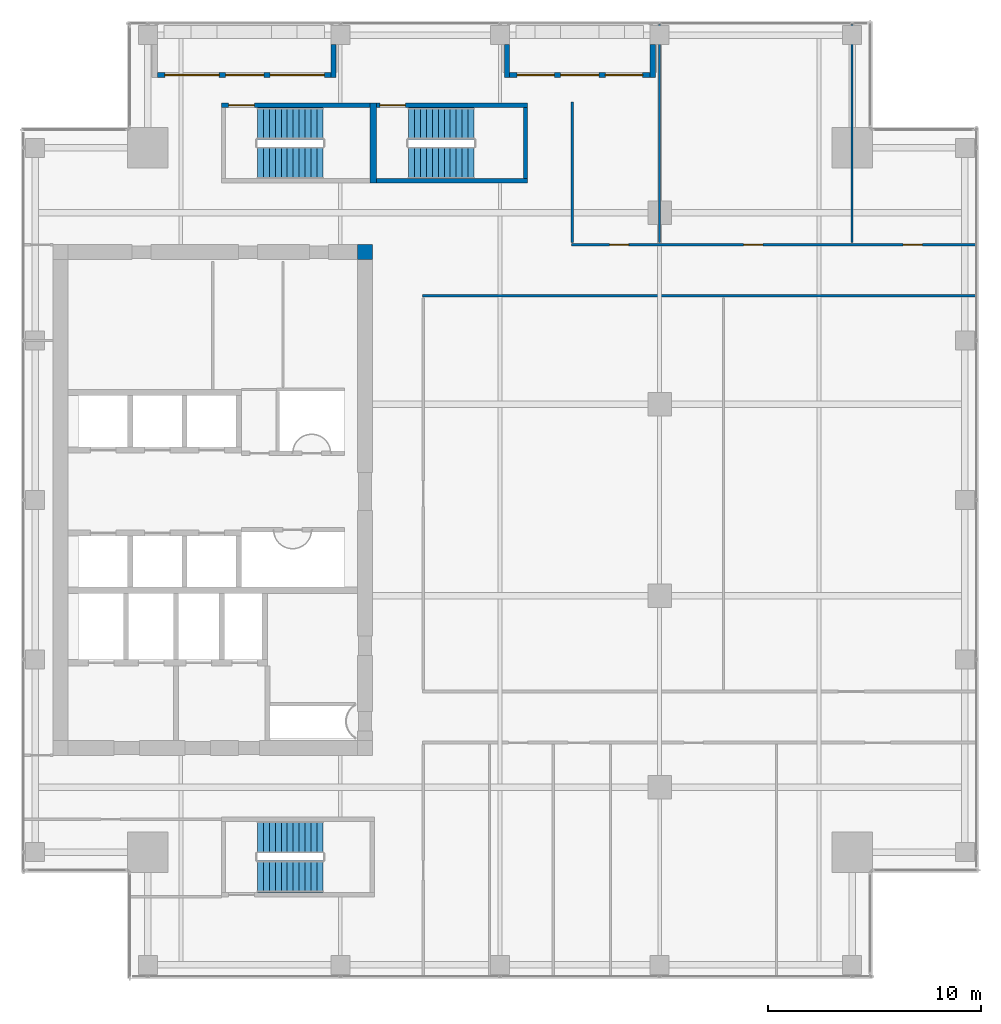
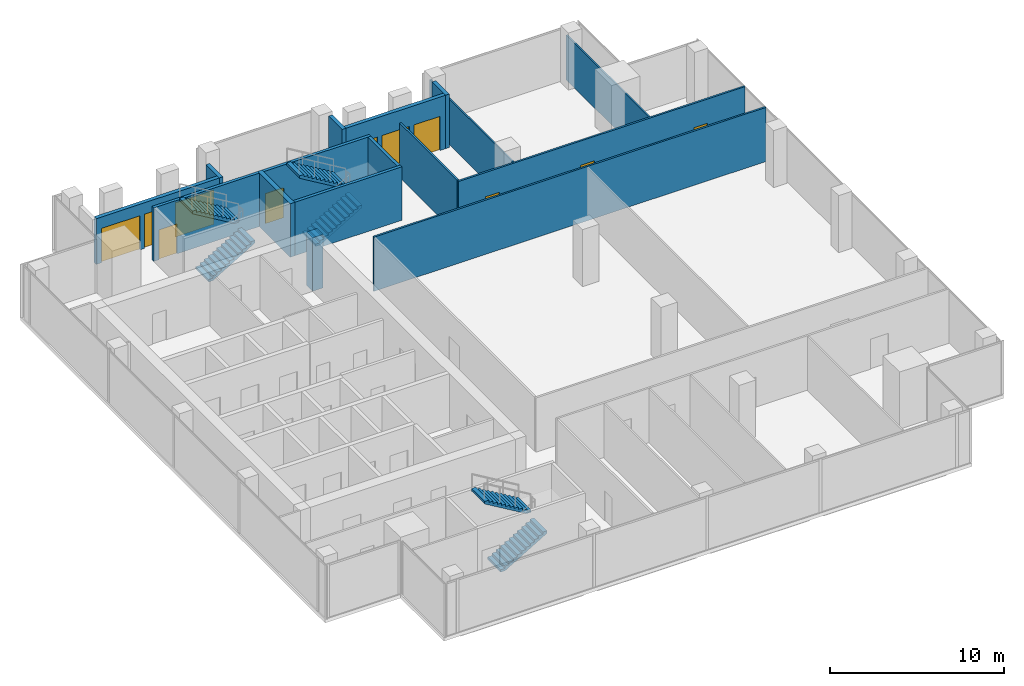
# One storey, part 32 of 35: 16 walls, 7 doors, 6 stair flights, 4 windows, 11 openings, 3 elements without a shape of their own.
"""IFC4 building model written with IfcOpenShell, lengths in metres."""

from ifc_helpers import new_model, si_unit, direction, frame, frame_2d, origin, place, context, subcontext, project, spatial, polyline, rectangle, outline, extrude, source, transform, mapped, material, layer, layer_set, type_object, element, fill, aggregate, save


model = new_model("IFC4")

# Units and contexts
model_context = context("Model", 3, precision=1e-05, world=origin(), true_north=direction((0.0, 1.0)))
body_context = subcontext(model_context, "Body", "Model", "MODEL_VIEW")
ifc_project = project(units=[si_unit("LENGTHUNIT", "METRE"), si_unit("AREAUNIT", "SQUARE_METRE"), si_unit("VOLUMEUNIT", "CUBIC_METRE"), si_unit("PLANEANGLEUNIT", "RADIAN"), si_unit("MASSUNIT", "GRAM", prefix="KILO")], contexts=[model_context])

# Site, building, storey
site_placement = place(None, origin())
site = spatial("IfcSite", under=ifc_project, at=site_placement, CompositionType="ELEMENT")
building_placement = place(site_placement, origin())
building = spatial("IfcBuilding", under=site, at=building_placement, Name="Khomas Fold Tower", CompositionType="ELEMENT")
storey_placement = place(building_placement, frame((0.0, 0.0, 270.199951171875)))
storey = spatial("IfcBuildingStorey", under=building, at=storey_placement, Name="L61", CompositionType="ELEMENT", Elevation=270.199951171875)

# Wall, opening, door
ifc_material_1 = material(Name="Concrete C50/60", Category="concrete")
ifc_layer_1 = layer(ifc_material_1, 0.199951171875)
ifc_layer_set_1 = layer_set([ifc_layer_1], Name="Concrete C50/60")
wall_type_1 = type_object("IfcWallType", Name="Stair wall 200", PredefinedType="SHEAR", material=ifc_layer_set_1)
shared_shape_1 = source(origin(), body_context, "Body", "SweptSolid", [
    extrude(rectangle(XDim=7.0, YDim=0.199951171875, at=frame_2d((3.5, 0.0))), origin(), (0.0, 0.0, 1.0), 3.75),
])
wall_1_placement = place(storey_placement, frame((13.89990234375, 45.550048828125, 0.0), z_axis=(0.0, 0.0, 1.0), x_axis=(1.0, 0.0, 0.0)))
wall_1 = element("IfcWall", 1, at=wall_1_placement, inside=storey, type_object=wall_type_1, Name="Stair wall SW-ST1-N", PredefinedType="SHEAR", context=body_context, shape_type="MappedRepresentation", body=[
    mapped(shared_shape_1, transform((0.0, 0.0, 0.0))),
])
shared_shape_2 = source(origin(), body_context, "Body", "SweptSolid", [
    extrude(rectangle(XDim=1.199951171875, YDim=2.10009765625, at=frame_2d((0.60009765625, 1.050048828125))), frame((0.0, 0.10986328125, 0.0), z_axis=(0.0, -1.0, 0.0), x_axis=(1.0, 0.0, 0.0)), (0.0, 0.0, 1.0), 0.219970703125),
])
opening_1_placement = place(wall_1_placement, frame((0.35009765625, 0.0, 0.0)))
opening_1 = element("IfcOpeningElement", 2, at=opening_1_placement, cuts=wall_1, Name="Opening SD-ST1", PredefinedType="OPENING", context=body_context, shape_type="MappedRepresentation", body=[
    mapped(shared_shape_2, transform((0.0, 0.0, 0.0))),
])
ifc_material_2 = material(Name="Steel door leaf", Category="steel")
door_type_1 = type_object("IfcDoorType", Name="Stair door 1200x2100 left-hand", OperationType="SINGLE_SWING_LEFT", PredefinedType="DOOR", material=ifc_material_2)
shared_shape_3 = source(origin(), body_context, "Body", "SweptSolid", [
    extrude(rectangle(XDim=1.199951171875, YDim=2.10009765625, at=frame_2d((0.60009765625, 1.050048828125))), frame((0.0, 0.02490234375, 0.0), z_axis=(0.0, -1.0, 0.0), x_axis=(1.0, 0.0, 0.0)), (0.0, 0.0, 1.0), 0.050048828125),
])
door_1_placement = place(opening_1_placement, origin())
door_1 = element("IfcDoor", 3, at=door_1_placement, inside=storey, type_object=door_type_1, Name="Stair door", OperationType="SINGLE_SWING_LEFT", OverallHeight=2.10009765625, OverallWidth=1.199951171875, PredefinedType="DOOR", context=body_context, shape_type="MappedRepresentation", body=[
    mapped(shared_shape_3, transform((0.0, 0.0, 0.0))),
])
fill(opening_1, door_1)

shared_shape_4 = source(origin(), body_context, "Body", "SweptSolid", [
    extrude(rectangle(XDim=7.10009765625, YDim=0.199951171875, at=frame_2d((3.550048828125, 0.0))), origin(), (0.0, 0.0, 1.0), 3.75),
])
wall_2_placement = place(storey_placement, frame((21.199951171875, 45.550048828125, 0.0), z_axis=(0.0, 0.0, 1.0), x_axis=(1.0, 0.0, 0.0)))
wall_2 = element("IfcWall", 4, at=wall_2_placement, inside=storey, type_object=wall_type_1, Name="Stair wall SW-ST3-N", PredefinedType="SHEAR", context=body_context, shape_type="MappedRepresentation", body=[
    mapped(shared_shape_4, transform((0.0, 0.0, 0.0))),
])
opening_2_placement = place(wall_2_placement, frame((0.14990234375, 0.0, 0.0)))
opening_2 = element("IfcOpeningElement", 5, at=opening_2_placement, cuts=wall_2, Name="Opening SD-ST3", PredefinedType="OPENING", context=body_context, shape_type="MappedRepresentation", body=[
    mapped(shared_shape_2, transform((0.0, 0.0, 0.0))),
])
door_2_placement = place(opening_2_placement, origin())
door_2 = element("IfcDoor", 6, at=door_2_placement, inside=storey, type_object=door_type_1, Name="Stair door", OperationType="SINGLE_SWING_LEFT", OverallHeight=2.10009765625, OverallWidth=1.199951171875, PredefinedType="DOOR", context=body_context, shape_type="MappedRepresentation", body=[
    mapped(shared_shape_3, transform((0.0, 0.0, 0.0))),
])
fill(opening_2, door_2)

# Walls
wall_3_placement = place(storey_placement, frame((21.199951171875, 42.0, 0.0), z_axis=(0.0, 0.0, 1.0), x_axis=(1.0, 0.0, 0.0)))
element("IfcWall", 7, at=wall_3_placement, inside=storey, type_object=wall_type_1, Name="Stair wall SW-ST3-S", PredefinedType="SHEAR", context=body_context, shape_type="MappedRepresentation", body=[
    mapped(shared_shape_4, transform((0.0, 0.0, 0.0))),
])
ifc_material_3 = material(Name="Concrete C50/60", Category="concrete")
ifc_layer_2 = layer(ifc_material_3, 0.300048828125)
ifc_layer_set_2 = layer_set([ifc_layer_2], Name="Concrete C50/60")
wall_type_2 = type_object("IfcWallType", Name="Stair wall 300", PredefinedType="SHEAR", material=ifc_layer_set_2)
shared_shape_5 = source(origin(), body_context, "Body", "SweptSolid", [
    extrude(rectangle(XDim=3.75, YDim=0.300048828125, at=frame_2d((1.875, 0.0))), origin(), (0.0, 0.0, 1.0), 3.75),
])
wall_4_placement = place(storey_placement, frame((21.050048828125, 41.89990234375, 0.0), z_axis=(0.0, 0.0, 1.0), x_axis=(0.0, 1.0, 0.0)))
element("IfcWall", 8, at=wall_4_placement, inside=storey, type_object=wall_type_2, Name="Stair wall SW-ST1-E", PredefinedType="SHEAR", context=body_context, shape_type="MappedRepresentation", body=[
    mapped(shared_shape_5, transform((0.0, 0.0, 0.0))),
])
shared_shape_6 = source(origin(), body_context, "Body", "SweptSolid", [
    extrude(rectangle(XDim=3.349853515625, YDim=0.199951171875, at=frame_2d((1.6748046875, 0.0))), origin(), (0.0, 0.0, 1.0), 3.75),
])
wall_5_placement = place(storey_placement, frame((28.199951171875, 42.10009765625, 0.0), z_axis=(0.0, 0.0, 1.0), x_axis=(0.0, 1.0, 0.0)))
element("IfcWall", 9, at=wall_5_placement, inside=storey, type_object=wall_type_1, Name="Stair wall SW-ST3-E", PredefinedType="SHEAR", context=body_context, shape_type="MappedRepresentation", body=[
    mapped(shared_shape_6, transform((0.0, 0.0, 0.0))),
])
ifc_material_4 = material(Name="Concrete C60/75", Category="concrete")
ifc_layer_3 = layer(ifc_material_4, 0.699951171875)
ifc_layer_set_3 = layer_set([ifc_layer_3], Name="Concrete C60/75")
wall_type_3 = type_object("IfcWallType", Name="Core corner wall 700", PredefinedType="SHEAR", material=ifc_layer_set_3)
shared_shape_7 = source(origin(), body_context, "Body", "SweptSolid", [
    extrude(rectangle(XDim=0.699951171875, YDim=0.699951171875, at=frame_2d((0.35009765625, 0.0))), origin(), (0.0, 0.0, 1.0), 3.75),
])
wall_6_placement = place(storey_placement, frame((20.300048828125, 38.64990234375, 0.0), z_axis=(0.0, 0.0, 1.0), x_axis=(1.0, 0.0, 0.0)))
element("IfcWall", 10, at=wall_6_placement, inside=storey, type_object=wall_type_3, Name="Core wall CW-U-NE-L49", PredefinedType="SHEAR", context=body_context, shape_type="MappedRepresentation", body=[
    mapped(shared_shape_7, transform((0.0, 0.0, 0.0))),
])
ifc_material_5 = material(Name="Natural stone", Category="masonry")
ifc_layer_4 = layer(ifc_material_5, 0.0400390625)
ifc_material_6 = material(Name="Mineral wool insulation", Category="insulation")
ifc_layer_5 = layer(ifc_material_6, 0.10009765625)
ifc_material_7 = material(Name="Masonry", Category="masonry")
ifc_layer_6 = layer(ifc_material_7, 0.110107421875)
ifc_layer_set_4 = layer_set([ifc_layer_4, ifc_layer_5, ifc_layer_6], Name="Stone-faced insulated masonry")
wall_type_4 = type_object("IfcWallType", Name="BL-Balcony wall", PredefinedType="SOLIDWALL", material=ifc_layer_set_4)
shared_shape_8 = source(origin(), body_context, "Body", "SweptSolid", [
    extrude(rectangle(XDim=1.5498046875, YDim=0.25, at=frame_2d((0.77490234375, 0.0))), origin(), (0.0, 0.0, 1.0), 3.199951171875),
])
wall_7_placement = place(storey_placement, frame((19.175048828125, 48.39990234375, 0.0), z_axis=(0.0, 0.0, 1.0), x_axis=(0.0, -1.0, 0.0)))
element("IfcWall", 11, at=wall_7_placement, inside=storey, type_object=wall_type_4, Name="Balcony return wall BAL-L61-N1-hi", PredefinedType="SOLIDWALL", context=body_context, shape_type="MappedRepresentation", body=[
    mapped(shared_shape_8, transform((0.0, 0.0, 0.0))),
])

# Wall, openings, door, windows
shared_shape_9 = source(origin(), body_context, "Body", "SweptSolid", [
    extrude(rectangle(XDim=6.60009765625, YDim=0.25, at=frame_2d((3.300048828125, 0.0))), origin(), (0.0, 0.0, 1.0), 3.75),
])
wall_8_placement = place(storey_placement, frame((27.449951171875, 46.97509765625, 0.0), z_axis=(0.0, 0.0, 1.0), x_axis=(1.0, 0.0, 0.0)))
wall_8 = element("IfcWall", 12, at=wall_8_placement, inside=storey, type_object=wall_type_4, Name="Balcony wall BAL-L61-N3", PredefinedType="SOLIDWALL", context=body_context, shape_type="MappedRepresentation", body=[
    mapped(shared_shape_9, transform((0.0, 0.0, 0.0))),
])
shared_shape_10 = source(origin(), body_context, "Body", "SweptSolid", [
    extrude(rectangle(XDim=1.75, YDim=2.39990234375, at=frame_2d((0.875, 1.199951171875))), frame((0.0, 0.135009765625, 0.0), z_axis=(0.0, -1.0, 0.0), x_axis=(1.0, 0.0, 0.0)), (0.0, 0.0, 1.0), 0.27001953125),
])
opening_3_placement = place(wall_8_placement, frame((0.35009765625, 0.0, 0.0)))
opening_3 = element("IfcOpeningElement", 13, at=opening_3_placement, cuts=wall_8, Name="Opening BL-W3", PredefinedType="OPENING", context=body_context, shape_type="MappedRepresentation", body=[
    mapped(shared_shape_10, transform((0.0, 0.0, 0.0))),
])
opening_4_placement = place(wall_8_placement, frame((4.5, 0.0, 0.0)))
opening_4 = element("IfcOpeningElement", 14, at=opening_4_placement, cuts=wall_8, Name="Opening BL-W3", PredefinedType="OPENING", context=body_context, shape_type="MappedRepresentation", body=[
    mapped(shared_shape_10, transform((0.0, 0.0, 0.0))),
])
shared_shape_11 = source(origin(), body_context, "Body", "SweptSolid", [
    extrude(rectangle(XDim=1.800048828125, YDim=2.39990234375, at=frame_2d((0.89990234375, 1.199951171875))), frame((0.0, 0.135009765625, 0.0), z_axis=(0.0, -1.0, 0.0), x_axis=(1.0, 0.0, 0.0)), (0.0, 0.0, 1.0), 0.27001953125),
])
opening_5_placement = place(wall_8_placement, frame((2.39990234375, 0.0, 0.0)))
opening_5 = element("IfcOpeningElement", 15, at=opening_5_placement, cuts=wall_8, Name="Opening BD612", PredefinedType="OPENING", context=body_context, shape_type="MappedRepresentation", body=[
    mapped(shared_shape_11, transform((0.0, 0.0, 0.0))),
])
ifc_material_8 = material(Name="Aluminium framed double glazing", Category="aluminium")
door_type_2 = type_object("IfcDoorType", Name="BL-Glazed balcony door 1800 x 2400", OperationType="DOUBLE_DOOR_DOUBLE_SWING", PredefinedType="DOOR", material=ifc_material_8)
shared_shape_12 = source(origin(), body_context, "Body", "SweptSolid", [
    extrude(rectangle(XDim=1.800048828125, YDim=2.39990234375, at=frame_2d((0.89990234375, 1.199951171875))), frame((0.0, 0.02490234375, 0.0), z_axis=(0.0, -1.0, 0.0), x_axis=(1.0, 0.0, 0.0)), (0.0, 0.0, 1.0), 0.050048828125),
])
door_3_placement = place(opening_5_placement, origin())
door_3 = element("IfcDoor", 16, at=door_3_placement, inside=storey, type_object=door_type_2, Name="Balcony door BD612", OperationType="DOUBLE_DOOR_DOUBLE_SWING", OverallHeight=2.39990234375, OverallWidth=1.800048828125, PredefinedType="DOOR", context=body_context, shape_type="MappedRepresentation", body=[
    mapped(shared_shape_12, transform((0.0, 0.0, 0.0))),
])
fill(opening_5, door_3)
ifc_material_9 = material(Name="Aluminium framed double glazing", Category="aluminium")
window_type_1 = type_object("IfcWindowType", Name="BL-Fixed glazing 1750 x 2400", PartitioningType="SINGLE_PANEL", PredefinedType="WINDOW", material=ifc_material_9)
shared_shape_13 = source(origin(), body_context, "Body", "SweptSolid", [
    extrude(rectangle(XDim=1.75, YDim=2.39990234375, at=frame_2d((0.875, 1.199951171875))), frame((0.0, 0.030029296875, 0.0), z_axis=(0.0, -1.0, 0.0), x_axis=(1.0, 0.0, 0.0)), (0.0, 0.0, 1.0), 0.06005859375),
])
window_1_placement = place(opening_3_placement, origin())
window_1 = element("IfcWindow", 17, at=window_1_placement, inside=storey, type_object=window_type_1, Name="Balcony glazing BAL-L61-N3-1", OverallHeight=2.39990234375, OverallWidth=1.75, PartitioningType="SINGLE_PANEL", PredefinedType="WINDOW", context=body_context, shape_type="MappedRepresentation", body=[
    mapped(shared_shape_13, transform((0.0, 0.0, 0.0))),
])
fill(opening_3, window_1)
window_2_placement = place(opening_4_placement, origin())
window_2 = element("IfcWindow", 18, at=window_2_placement, inside=storey, type_object=window_type_1, Name="Balcony glazing BAL-L61-N3-2", OverallHeight=2.39990234375, OverallWidth=1.75, PartitioningType="SINGLE_PANEL", PredefinedType="WINDOW", context=body_context, shape_type="MappedRepresentation", body=[
    mapped(shared_shape_13, transform((0.0, 0.0, 0.0))),
])
fill(opening_4, window_2)

# Walls
shared_shape_14 = source(origin(), body_context, "Body", "SweptSolid", [
    extrude(rectangle(XDim=1.5498046875, YDim=0.25, at=frame_2d((0.77490234375, 0.0))), origin(), (0.0, 0.0, 1.0), 3.75),
])
for number, where, z_axis, x_axis, name in (
    (19, (27.324951171875, 48.39990234375, 0.0), (0.0, 0.0, 1.0), (0.0, -1.0, 0.0), "Balcony return wall BAL-L61-N3-lo"),
    (20, (34.175048828125, 48.39990234375, 0.0), (0.0, 0.0, 1.0), (0.0, -1.0, 0.0), "Balcony return wall BAL-L61-N3-hi"),
):
    element("IfcWall", number, at=place(storey_placement, frame(where, z_axis=z_axis, x_axis=x_axis)), inside=storey, type_object=wall_type_4, Name=name, PredefinedType="SOLIDWALL", context=body_context, shape_type="MappedRepresentation", body=[
        mapped(shared_shape_14, transform((0.0, 0.0, 0.0))),
    ])

# Wall, openings, door, windows
shared_shape_15 = source(origin(), body_context, "Body", "SweptSolid", [
    extrude(rectangle(XDim=8.150146484375, YDim=0.25, at=frame_2d((4.0751953125, 0.0))), origin(), (0.0, 0.0, 1.0), 3.199951171875),
])
wall_9_placement = place(storey_placement, frame((10.89990234375, 46.97509765625, 0.0), z_axis=(0.0, 0.0, 1.0), x_axis=(1.0, 0.0, 0.0)))
wall_9 = element("IfcWall", 21, at=wall_9_placement, inside=storey, type_object=wall_type_4, Name="Balcony wall BAL-L61-N1", PredefinedType="SOLIDWALL", context=body_context, shape_type="MappedRepresentation", body=[
    mapped(shared_shape_15, transform((0.0, 0.0, 0.0))),
])
shared_shape_16 = source(origin(), body_context, "Body", "SweptSolid", [
    extrude(rectangle(XDim=2.550048828125, YDim=2.39990234375, at=frame_2d((1.27490234375, 1.199951171875))), frame((0.0, 0.135009765625, 0.0), z_axis=(0.0, -1.0, 0.0), x_axis=(1.0, 0.0, 0.0)), (0.0, 0.0, 1.0), 0.27001953125),
])
opening_6_placement = place(wall_9_placement, frame((0.35009765625, 0.0, 0.0)))
opening_6 = element("IfcOpeningElement", 22, at=opening_6_placement, cuts=wall_9, Name="Opening BL-W4", PredefinedType="OPENING", context=body_context, shape_type="MappedRepresentation", body=[
    mapped(shared_shape_16, transform((0.0, 0.0, 0.0))),
])
opening_7_placement = place(wall_9_placement, frame((5.300048828125, 0.0, 0.0)))
opening_7 = element("IfcOpeningElement", 23, at=opening_7_placement, cuts=wall_9, Name="Opening BL-W4", PredefinedType="OPENING", context=body_context, shape_type="MappedRepresentation", body=[
    mapped(shared_shape_16, transform((0.0, 0.0, 0.0))),
])
opening_8_placement = place(wall_9_placement, frame((3.199951171875, 0.0, 0.0)))
opening_8 = element("IfcOpeningElement", 24, at=opening_8_placement, cuts=wall_9, Name="Opening BD611", PredefinedType="OPENING", context=body_context, shape_type="MappedRepresentation", body=[
    mapped(shared_shape_11, transform((0.0, 0.0, 0.0))),
])
door_4_placement = place(opening_8_placement, origin())
door_4 = element("IfcDoor", 25, at=door_4_placement, inside=storey, type_object=door_type_2, Name="Balcony door BD611", OperationType="DOUBLE_DOOR_DOUBLE_SWING", OverallHeight=2.39990234375, OverallWidth=1.800048828125, PredefinedType="DOOR", context=body_context, shape_type="MappedRepresentation", body=[
    mapped(shared_shape_12, transform((0.0, 0.0, 0.0))),
])
fill(opening_8, door_4)
ifc_material_10 = material(Name="Aluminium framed double glazing", Category="aluminium")
window_type_2 = type_object("IfcWindowType", Name="BL-Fixed glazing 2550 x 2400", PartitioningType="SINGLE_PANEL", PredefinedType="WINDOW", material=ifc_material_10)
shared_shape_17 = source(origin(), body_context, "Body", "SweptSolid", [
    extrude(rectangle(XDim=2.550048828125, YDim=2.39990234375, at=frame_2d((1.27490234375, 1.199951171875))), frame((0.0, 0.030029296875, 0.0), z_axis=(0.0, -1.0, 0.0), x_axis=(1.0, 0.0, 0.0)), (0.0, 0.0, 1.0), 0.06005859375),
])
window_3_placement = place(opening_6_placement, origin())
window_3 = element("IfcWindow", 26, at=window_3_placement, inside=storey, type_object=window_type_2, Name="Balcony glazing BAL-L61-N1-1", OverallHeight=2.39990234375, OverallWidth=2.550048828125, PartitioningType="SINGLE_PANEL", PredefinedType="WINDOW", context=body_context, shape_type="MappedRepresentation", body=[
    mapped(shared_shape_17, transform((0.0, 0.0, 0.0))),
])
fill(opening_6, window_3)
window_4_placement = place(opening_7_placement, origin())
window_4 = element("IfcWindow", 27, at=window_4_placement, inside=storey, type_object=window_type_2, Name="Balcony glazing BAL-L61-N1-2", OverallHeight=2.39990234375, OverallWidth=2.550048828125, PartitioningType="SINGLE_PANEL", PredefinedType="WINDOW", context=body_context, shape_type="MappedRepresentation", body=[
    mapped(shared_shape_17, transform((0.0, 0.0, 0.0))),
])
fill(opening_7, window_4)

# Wall
ifc_material_11 = material(Name="Plasterboard partition")
ifc_layer_7 = layer(ifc_material_11, 0.125)
ifc_layer_set_5 = layer_set([ifc_layer_7], Name="Plasterboard partition")
wall_type_5 = type_object("IfcWallType", Name="Partition PW2 125", PredefinedType="PARTITIONING", material=ifc_layer_set_5)
shared_shape_18 = source(origin(), body_context, "Body", "SweptSolid", [
    extrude(rectangle(XDim=26.0, YDim=0.125, at=frame_2d((13.0, 0.0))), origin(), (0.0, 0.0, 1.0), 3.800048828125),
])
wall_10_placement = place(storey_placement, frame((23.35009765625, 36.60009765625, 0.0), z_axis=(0.0, 0.0, 1.0), x_axis=(1.0, 0.0, 0.0)))
element("IfcWall", 28, at=wall_10_placement, inside=storey, type_object=wall_type_5, Name="Partition", PredefinedType="PARTITIONING", context=body_context, shape_type="MappedRepresentation", body=[
    mapped(shared_shape_18, transform((0.0, 0.0, 0.0))),
])

# Wall, openings, doors
shared_shape_19 = source(origin(), body_context, "Body", "SweptSolid", [
    extrude(rectangle(XDim=19.0, YDim=0.125, at=frame_2d((9.5, 0.0))), origin(), (0.0, 0.0, 1.0), 3.800048828125),
])
wall_11_placement = place(storey_placement, frame((30.35009765625, 39.0, 0.0), z_axis=(0.0, 0.0, 1.0), x_axis=(1.0, 0.0, 0.0)))
wall_11 = element("IfcWall", 29, at=wall_11_placement, inside=storey, type_object=wall_type_5, Name="Partition", PredefinedType="PARTITIONING", context=body_context, shape_type="MappedRepresentation", body=[
    mapped(shared_shape_19, transform((0.0, 0.0, 0.0))),
])
shared_shape_20 = source(origin(), body_context, "Body", "SweptSolid", [
    extrude(rectangle(XDim=0.89990234375, YDim=2.10009765625, at=frame_2d((0.449951171875, 1.050048828125))), frame((0.0, 0.072509765625, 0.0), z_axis=(0.0, -1.0, 0.0), x_axis=(1.0, 0.0, 0.0)), (0.0, 0.0, 1.0), 0.14501953125),
])
opening_9_placement = place(wall_11_placement, frame((1.800048828125, 0.0, 0.0)))
opening_9 = element("IfcOpeningElement", 30, at=opening_9_placement, cuts=wall_11, Name="Opening 0007", PredefinedType="OPENING", context=body_context, shape_type="MappedRepresentation", body=[
    mapped(shared_shape_20, transform((0.0, 0.0, 0.0))),
])
opening_10_placement = place(wall_11_placement, frame((8.10009765625, 0.0, 0.0)))
opening_10 = element("IfcOpeningElement", 31, at=opening_10_placement, cuts=wall_11, Name="Opening 0008", PredefinedType="OPENING", context=body_context, shape_type="MappedRepresentation", body=[
    mapped(shared_shape_20, transform((0.0, 0.0, 0.0))),
])
opening_11_placement = place(wall_11_placement, frame((15.60009765625, 0.0, 0.0)))
opening_11 = element("IfcOpeningElement", 32, at=opening_11_placement, cuts=wall_11, Name="Opening 0008", PredefinedType="OPENING", context=body_context, shape_type="MappedRepresentation", body=[
    mapped(shared_shape_20, transform((0.0, 0.0, 0.0))),
])
ifc_material_12 = material(Name="Timber door leaf", Category="wood")
door_type_3 = type_object("IfcDoorType", Name="Door 900x2100 left-hand", OperationType="SINGLE_SWING_LEFT", PredefinedType="DOOR", material=ifc_material_12)
shared_shape_21 = source(origin(), body_context, "Body", "SweptSolid", [
    extrude(rectangle(XDim=0.89990234375, YDim=2.10009765625, at=frame_2d((0.449951171875, 1.050048828125))), frame((0.0, 0.02490234375, 0.0), z_axis=(0.0, -1.0, 0.0), x_axis=(1.0, 0.0, 0.0)), (0.0, 0.0, 1.0), 0.050048828125),
])
door_5_placement = place(opening_9_placement, origin())
door_5 = element("IfcDoor", 33, at=door_5_placement, inside=storey, type_object=door_type_3, Name="Door", OperationType="SINGLE_SWING_LEFT", OverallHeight=2.10009765625, OverallWidth=0.89990234375, PredefinedType="DOOR", context=body_context, shape_type="MappedRepresentation", body=[
    mapped(shared_shape_21, transform((0.0, 0.0, 0.0))),
])
fill(opening_9, door_5)
ifc_material_13 = material(Name="Timber door leaf", Category="wood")
door_type_4 = type_object("IfcDoorType", Name="Door 900x2100 right-hand", OperationType="SINGLE_SWING_RIGHT", PredefinedType="DOOR", material=ifc_material_13)
door_6_placement = place(opening_10_placement, origin())
door_6 = element("IfcDoor", 34, at=door_6_placement, inside=storey, type_object=door_type_4, Name="Door", OperationType="SINGLE_SWING_RIGHT", OverallHeight=2.10009765625, OverallWidth=0.89990234375, PredefinedType="DOOR", context=body_context, shape_type="MappedRepresentation", body=[
    mapped(shared_shape_21, transform((0.0, 0.0, 0.0))),
])
fill(opening_10, door_6)
door_7_placement = place(opening_11_placement, origin())
door_7 = element("IfcDoor", 35, at=door_7_placement, inside=storey, type_object=door_type_4, Name="Door", OperationType="SINGLE_SWING_RIGHT", OverallHeight=2.10009765625, OverallWidth=0.89990234375, PredefinedType="DOOR", context=body_context, shape_type="MappedRepresentation", body=[
    mapped(shared_shape_21, transform((0.0, 0.0, 0.0))),
])
fill(opening_11, door_7)

# Walls
shared_shape_22 = source(origin(), body_context, "Body", "SweptSolid", [
    extrude(rectangle(XDim=6.599853515625, YDim=0.125, at=frame_2d((3.2998046875, 0.0))), origin(), (0.0, 0.0, 1.0), 3.800048828125),
])
wall_12_placement = place(storey_placement, frame((30.39990234375, 39.10009765625, 0.0), z_axis=(0.0, 0.0, 1.0), x_axis=(0.0, 1.0, 0.0)))
element("IfcWall", 36, at=wall_12_placement, inside=storey, type_object=wall_type_5, Name="Partition", PredefinedType="PARTITIONING", context=body_context, shape_type="MappedRepresentation", body=[
    mapped(shared_shape_22, transform((0.0, 0.0, 0.0))),
])
ifc_material_14 = material(Name="Plasterboard partition")
ifc_layer_8 = layer(ifc_material_14, 0.10009765625)
ifc_layer_set_6 = layer_set([ifc_layer_8], Name="Plasterboard partition")
wall_type_6 = type_object("IfcWallType", Name="Partition PW1 100", PredefinedType="PARTITIONING", material=ifc_layer_set_6)
shared_shape_23 = source(origin(), body_context, "Body", "SweptSolid", [
    extrude(rectangle(XDim=10.25, YDim=0.10009765625, at=frame_2d((5.125, 0.0))), origin(), (0.0, 0.0, 1.0), 3.199951171875),
])
wall_13_placement = place(storey_placement, frame((34.5, 39.10009765625, 0.0), z_axis=(0.0, 0.0, 1.0), x_axis=(0.0, 1.0, 0.0)))
element("IfcWall", 37, at=wall_13_placement, inside=storey, type_object=wall_type_6, Name="Partition", PredefinedType="PARTITIONING", context=body_context, shape_type="MappedRepresentation", body=[
    mapped(shared_shape_23, transform((0.0, 0.0, 0.0))),
])
shared_shape_24 = source(origin(), body_context, "Body", "SweptSolid", [
    extrude(rectangle(XDim=10.25, YDim=0.10009765625, at=frame_2d((5.125, 0.0))), origin(), (0.0, 0.0, 1.0), 3.150146484375),
])
wall_14_placement = place(storey_placement, frame((43.550048828125, 39.10009765625, 0.0), z_axis=(0.0, 0.0, 1.0), x_axis=(0.0, 1.0, 0.0)))
element("IfcWall", 38, at=wall_14_placement, inside=storey, type_object=wall_type_6, Name="Partition", PredefinedType="PARTITIONING", context=body_context, shape_type="MappedRepresentation", body=[
    mapped(shared_shape_24, transform((0.0, 0.0, 0.0))),
])

# Stair, stair flights
ifc_material_15 = material(Name="Concrete C40/50", Category="concrete")
stair_type_1 = type_object("IfcStairType", Name="Stair ST1", PredefinedType="HALF_TURN_STAIR", material=ifc_material_15)
stair_1_placement = place(storey_placement, origin())
stair_1 = element("IfcStair", 39, at=stair_1_placement, inside=storey, type_object=stair_type_1, Name="L61 ST1", PredefinedType="HALF_TURN_STAIR")
ifc_material_16 = material(Name="Concrete C40/50", Category="concrete")
stair_flight_type_1 = type_object("IfcStairFlightType", Name="Stair flight 1500 ST1", PredefinedType="STRAIGHT", material=ifc_material_16)
shared_shape_25 = source(origin(), body_context, "Body", "SweptSolid", [
    extrude(outline(polyline([(0.0, 0.0), (0.0, 0.012939453125), (0.0, 0.025634765625), (0.0, 0.03857421875), (0.0, 0.05126953125), (0.0, 0.064208984375), (0.0, 0.076904296875), (0.0, 0.08984375), (0.0, 0.1025390625), (0.0, 0.115478515625), (0.0, 0.128173828125), (0.0, 0.14111328125), (0.0, 0.15380859375), (0.0, 0.166748046875), (0.280029296875, 0.166748046875), (0.280029296875, 0.333251953125), (0.56005859375, 0.333251953125), (0.56005859375, 0.5), (0.840087890625, 0.5), (0.840087890625, 0.666748046875), (1.1201171875, 0.666748046875), (1.1201171875, 0.833251953125), (1.39990234375, 0.833251953125), (1.39990234375, 1.0), (1.679931640625, 1.0), (1.679931640625, 1.166748046875), (1.9599609375, 1.166748046875), (1.9599609375, 1.333251953125), (2.239990234375, 1.333251953125), (2.239990234375, 1.5), (2.52001953125, 1.5), (2.52001953125, 1.666748046875), (2.800048828125, 1.666748046875), (2.800048828125, 1.833251953125), (3.080078125, 1.833251953125), (3.080078125, 2.0), (3.080078125, 1.973876953125), (3.080078125, 1.947509765625), (3.080078125, 1.92138671875), (3.080078125, 1.89501953125), (3.080078125, 1.868896484375), (3.080078125, 1.842529296875), (3.080078125, 1.81640625), (3.080078125, 1.7900390625), (3.080078125, 1.763916015625), (3.080078125, 1.737548828125), (3.080078125, 1.71142578125), (3.080078125, 1.68505859375), (3.080078125, 1.658935546875), (0.29296875, 0.0), (0.0, 0.0)])), frame((0.0, 0.75, 0.0), z_axis=(0.0, -1.0, 0.0), x_axis=(1.0, 0.0, 0.0)), (0.0, 0.0, 1.0), 1.5),
])
stair_flight_1_placement = place(storey_placement, frame((15.60009765625, 42.85009765625, 0.0), z_axis=(0.0, 0.0, 1.0), x_axis=(1.0, 0.0, 0.0)))
stair_flight_1 = element("IfcStairFlight", 40, at=stair_flight_1_placement, type_object=stair_flight_type_1, Name="ST1 flight 1", NumberOfRisers=12, NumberOfTreads=11, PredefinedType="STRAIGHT", RiserHeight=0.166666667, TreadLength=0.28, context=body_context, shape_type="MappedRepresentation", body=[
    mapped(shared_shape_25, transform((0.0, 0.0, 0.0))),
])
stair_flight_2_placement = place(storey_placement, frame((18.679931640625, 44.699951171875, 2.0), z_axis=(0.0, 0.0, 1.0), x_axis=(-1.0, 0.0, 0.0)))
stair_flight_2 = element("IfcStairFlight", 41, at=stair_flight_2_placement, type_object=stair_flight_type_1, Name="ST1 flight 2", NumberOfRisers=12, NumberOfTreads=11, PredefinedType="STRAIGHT", RiserHeight=0.166666667, TreadLength=0.28, context=body_context, shape_type="MappedRepresentation", body=[
    mapped(shared_shape_25, transform((0.0, 0.0, 0.0))),
])
aggregate(stair_1, [stair_flight_1, stair_flight_2])

ifc_material_17 = material(Name="Concrete C40/50", Category="concrete")
stair_type_2 = type_object("IfcStairType", Name="Stair ST2", PredefinedType="HALF_TURN_STAIR", material=ifc_material_17)
stair_2_placement = place(storey_placement, origin())
stair_2 = element("IfcStair", 42, at=stair_2_placement, inside=storey, type_object=stair_type_2, Name="L61 ST2", PredefinedType="HALF_TURN_STAIR")
ifc_material_18 = material(Name="Concrete C40/50", Category="concrete")
stair_flight_type_2 = type_object("IfcStairFlightType", Name="Stair flight 1500 ST2", PredefinedType="STRAIGHT", material=ifc_material_18)
stair_flight_3_placement = place(storey_placement, frame((15.60009765625, 9.300048828125, 0.0), z_axis=(0.0, 0.0, 1.0), x_axis=(1.0, 0.0, 0.0)))
stair_flight_3 = element("IfcStairFlight", 43, at=stair_flight_3_placement, type_object=stair_flight_type_2, Name="ST2 flight 1", NumberOfRisers=12, NumberOfTreads=11, PredefinedType="STRAIGHT", RiserHeight=0.166666667, TreadLength=0.28, context=body_context, shape_type="MappedRepresentation", body=[
    mapped(shared_shape_25, transform((0.0, 0.0, 0.0))),
])
stair_flight_4_placement = place(storey_placement, frame((18.679931640625, 11.14990234375, 2.0), z_axis=(0.0, 0.0, 1.0), x_axis=(-1.0, 0.0, 0.0)))
stair_flight_4 = element("IfcStairFlight", 44, at=stair_flight_4_placement, type_object=stair_flight_type_2, Name="ST2 flight 2", NumberOfRisers=12, NumberOfTreads=11, PredefinedType="STRAIGHT", RiserHeight=0.166666667, TreadLength=0.28, context=body_context, shape_type="MappedRepresentation", body=[
    mapped(shared_shape_25, transform((0.0, 0.0, 0.0))),
])
aggregate(stair_2, [stair_flight_3, stair_flight_4])

ifc_material_19 = material(Name="Concrete C40/50", Category="concrete")
stair_type_3 = type_object("IfcStairType", Name="Stair ST3", PredefinedType="HALF_TURN_STAIR", material=ifc_material_19)
stair_3_placement = place(storey_placement, origin())
stair_3 = element("IfcStair", 45, at=stair_3_placement, inside=storey, type_object=stair_type_3, Name="L61 ST3", PredefinedType="HALF_TURN_STAIR")
ifc_material_20 = material(Name="Concrete C40/50", Category="concrete")
stair_flight_type_3 = type_object("IfcStairFlightType", Name="Stair flight 1500 ST3", PredefinedType="STRAIGHT", material=ifc_material_20)
stair_flight_5_placement = place(storey_placement, frame((22.699951171875, 42.85009765625, 0.0), z_axis=(0.0, 0.0, 1.0), x_axis=(1.0, 0.0, 0.0)))
stair_flight_5 = element("IfcStairFlight", 46, at=stair_flight_5_placement, type_object=stair_flight_type_3, Name="ST3 flight 1", NumberOfRisers=12, NumberOfTreads=11, PredefinedType="STRAIGHT", RiserHeight=0.166666667, TreadLength=0.28, context=body_context, shape_type="MappedRepresentation", body=[
    mapped(shared_shape_25, transform((0.0, 0.0, 0.0))),
])
stair_flight_6_placement = place(storey_placement, frame((25.780029296875, 44.699951171875, 2.0), z_axis=(0.0, 0.0, 1.0), x_axis=(-1.0, 0.0, 0.0)))
stair_flight_6 = element("IfcStairFlight", 47, at=stair_flight_6_placement, type_object=stair_flight_type_3, Name="ST3 flight 2", NumberOfRisers=12, NumberOfTreads=11, PredefinedType="STRAIGHT", RiserHeight=0.166666667, TreadLength=0.28, context=body_context, shape_type="MappedRepresentation", body=[
    mapped(shared_shape_25, transform((0.0, 0.0, 0.0))),
])
aggregate(stair_3, [stair_flight_5, stair_flight_6])

save(model, "model.ifc")
